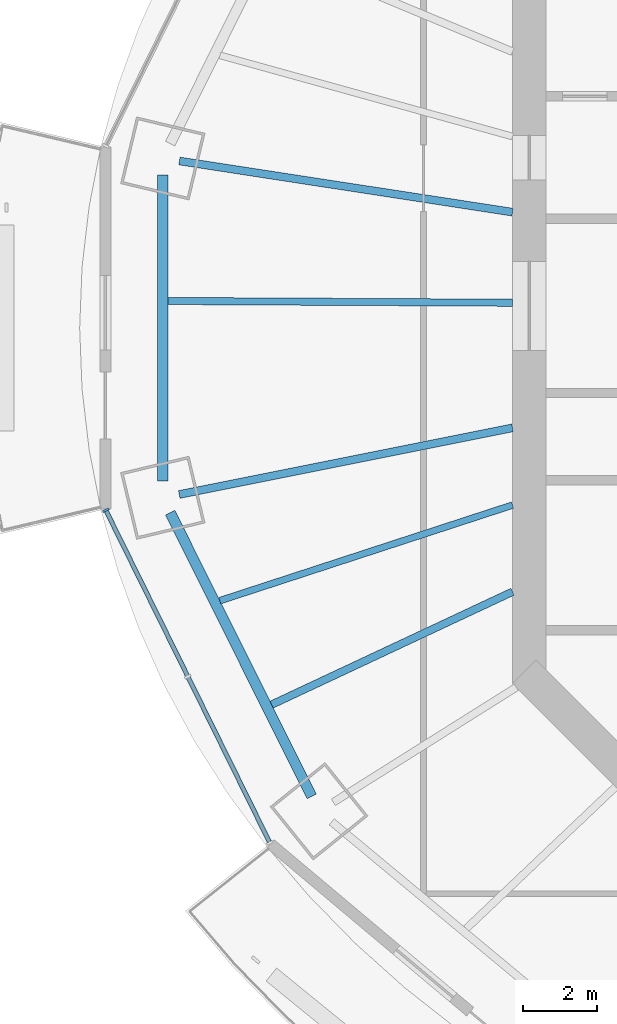
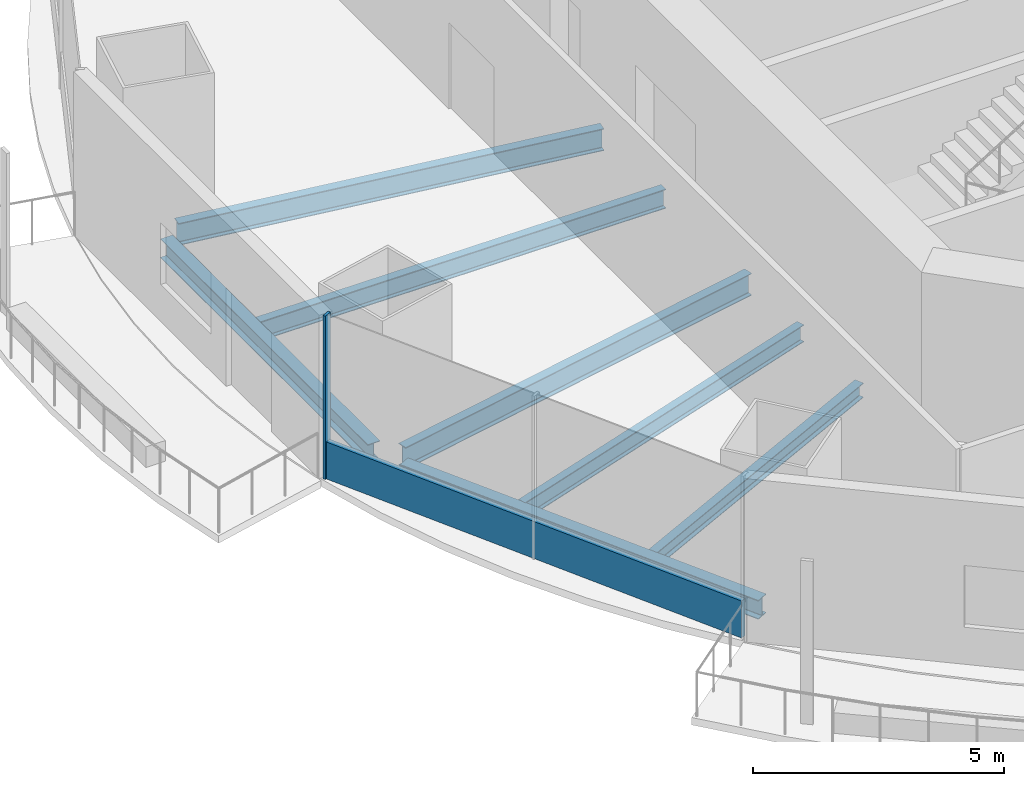
# One storey, part 3 of 19: 7 beams, 2 members, 1 element without a shape of its own.
"""IFC4 building model written with IfcOpenShell, lengths in metres."""

import ifcopenshell
import ifcopenshell.guid

model = None  # the IFC model being written
_history = None  # IfcOwnerHistory: only IFC2X3 demands one
_inside = {}  # id of a spatial element -> (the spatial element, [elements in it])
_under = {}  # id of a project, library or spatial element -> (it, [spatial elements below it])
_declared = {}  # id of a project -> (the project, [libraries it declares])
_typed = {}  # id of a type object -> (the type object, [elements of that type])
_made_of = {}  # id of a material, layer set ... -> (it, [elements and type objects made of it])


def new_model(schema):
    """Start an empty IFC model of exactly this schema.

    Asked for "IFC4X3", IfcOpenShell would pick the latest addendum, in which some entities
    have other attributes; the version numbers below select the first issue.
    IFC2X3 requires an IfcOwnerHistory on every rooted entity: one is made here for all.
    """
    global model, _history
    if schema == "IFC4X3":
        model = ifcopenshell.file(schema_version=(4, 3, 0, 0))
    else:
        model = ifcopenshell.file(schema=schema)
    _inside.clear()
    _under.clear()
    _declared.clear()
    _typed.clear()
    _made_of.clear()
    _history = None
    if model.schema == "IFC2X3":
        org = make("IfcOrganization", Name="unknown")
        user = make(
            "IfcPersonAndOrganization",
            ThePerson=make("IfcPerson", FamilyName="unknown"),
            TheOrganization=org,
        )
        app = make(
            "IfcApplication",
            ApplicationDeveloper=org,
            Version="unknown",
            ApplicationFullName="unknown",
            ApplicationIdentifier="unknown",
        )
        _history = make(
            "IfcOwnerHistory",
            OwningUser=user,
            OwningApplication=app,
            ChangeAction="ADDED",
            CreationDate=0,
        )
    return model


def make(cls, **values):
    """One entity of the class cls with the attributes given. An attribute that is None is left unset."""
    return model.create_entity(
        cls, **{name: value for name, value in values.items() if value is not None}
    )


def rooted(cls, **values):
    """An entity with a GlobalId (a new one), such as an element, a storey or a relation."""
    return make(cls, GlobalId=ifcopenshell.guid.new(), OwnerHistory=_history, **values)


def si_unit(unit_type, name, prefix=None):
    """IfcSIUnit, for example si_unit("LENGTHUNIT", "METRE", prefix="MILLI")."""
    return make("IfcSIUnit", UnitType=unit_type, Prefix=prefix, Name=name)


def assignment(units):
    """IfcUnitAssignment: the units of a project."""
    return None if units is None else make("IfcUnitAssignment", Units=units)


def point(xyz):
    """IfcCartesianPoint."""
    return None if xyz is None else make("IfcCartesianPoint", Coordinates=xyz)


def direction(xyz):
    """IfcDirection."""
    return None if xyz is None else make("IfcDirection", DirectionRatios=xyz)


def frame(location, z_axis=None, x_axis=None):
    """IfcAxis2Placement3D, a coordinate frame: its origin and axes. An axis left out is left unset."""
    return make(
        "IfcAxis2Placement3D",
        Location=point(location),
        Axis=direction(z_axis),
        RefDirection=direction(x_axis),
    )


def frame_2d(location, x_axis=None):
    """IfcAxis2Placement2D, a coordinate frame in the plane: its origin and x axis."""
    return make(
        "IfcAxis2Placement2D", Location=point(location), RefDirection=direction(x_axis)
    )


def origin():
    """The frame at (0, 0, 0) with its axes left unset."""
    return frame((0.0, 0.0, 0.0))


def origin_2d():
    """The frame at (0, 0) in the plane with its x axis left unset."""
    return frame_2d((0.0, 0.0))


def place(relative_to, where):
    """IfcLocalPlacement: puts the frame where relative to a parent placement (None: the world)."""
    return make(
        "IfcLocalPlacement", PlacementRelTo=relative_to, RelativePlacement=where
    )


def context(
    kind, dimensions, precision=None, world=None, true_north=None, identifier=None
):
    """IfcGeometricRepresentationContext, for example the 3D "Model" context."""
    return make(
        "IfcGeometricRepresentationContext",
        ContextIdentifier=identifier,
        ContextType=kind,
        CoordinateSpaceDimension=dimensions,
        Precision=precision,
        WorldCoordinateSystem=world,
        TrueNorth=true_north,
    )


def subcontext(parent, identifier, kind, view, scale=None):
    """IfcGeometricRepresentationSubContext, for example "Body" below "Model"."""
    return make(
        "IfcGeometricRepresentationSubContext",
        ContextIdentifier=identifier,
        ContextType=kind,
        ParentContext=parent,
        TargetScale=scale,
        TargetView=view,
    )


def project(units=None, contexts=None):
    """IfcProject with its units and contexts."""
    return rooted(
        "IfcProject",
        Name="project",
        RepresentationContexts=contexts,
        UnitsInContext=assignment(units),
    )


def spatial(cls, under=None, at=None, **own):
    """A site, building, storey or space (cls), placed at a placement, below another one or the project."""
    s = rooted(cls, ObjectPlacement=at, **own)
    if under is not None:
        _under.setdefault(under.id(), (under, []))[1].append(s)
    return s


def profile(cls, at=None, kind="AREA", **sizes):
    """A parametric profile (cls). Its sizes go by their IFC names, for example OverallWidth=200.0."""
    return make(cls, ProfileType=kind, Position=at, **sizes)


def rectangle(**sizes):
    """IfcRectangleProfileDef."""
    return profile("IfcRectangleProfileDef", **sizes)


def i_section(**sizes):
    """IfcIShapeProfileDef."""
    return profile("IfcIShapeProfileDef", **sizes)


def extrude(swept, where, along, depth):
    """IfcExtrudedAreaSolid: the profile swept, set in the frame where, extruded along a direction by depth."""
    return make(
        "IfcExtrudedAreaSolid",
        SweptArea=swept,
        Position=where,
        ExtrudedDirection=direction(along),
        Depth=depth,
    )


def shape(context_of_items, identifier, shape_type, items):
    """IfcShapeRepresentation: the items that make up one representation, for example the "Body"."""
    return make(
        "IfcShapeRepresentation",
        ContextOfItems=context_of_items,
        RepresentationIdentifier=identifier,
        RepresentationType=shape_type,
        Items=items,
    )


def material(Name=None, Category=None):
    """IfcMaterial."""
    return make("IfcMaterial", Name=Name, Category=Category)


def material_profile(
    of_material, cross_section, Name=None, Category=None, Priority=None
):
    """IfcMaterialProfile: a cross section and its material."""
    return make(
        "IfcMaterialProfile",
        Name=Name,
        Material=of_material,
        Profile=cross_section,
        Priority=Priority,
        Category=Category,
    )


def profile_set(profiles, Name=None, composite=None):
    """IfcMaterialProfileSet."""
    return make(
        "IfcMaterialProfileSet",
        Name=Name,
        MaterialProfiles=profiles,
        CompositeProfile=composite,
    )


def made_of(thing, what):
    """Note that an element or type object is made of a material, layer set ...; save() writes the relation."""
    if what is not None:
        _made_of.setdefault(what.id(), (what, []))[1].append(thing)
    return thing


def type_object(cls, material=None, **own):
    """A type object (cls), such as IfcWallType, which elements share."""
    return made_of(rooted(cls, **own), material)


def element(
    cls,
    number,
    at=None,
    inside=None,
    cuts=None,
    type_object=None,
    material=None,
    context=None,
    identifier="Body",
    shape_type=None,
    held_by="IfcProductDefinitionShape",
    body=None,
    shapes=None,
    **own,
):
    """One element of the class cls, such as IfcWall. Its Tag is "e" and its number.

    at: its placement. inside: the storey or other place that contains it. cuts: it is an
    opening in that element (IfcRelVoidsElement). A single representation is given by context,
    identifier, shape_type and body (its items); several are given by shapes. held_by: the class
    of the entity that holds the representations. save() writes the other relations.
    """
    e = rooted(cls, Tag="e%d" % number, ObjectPlacement=at, **own)
    if body is not None:
        shapes = [shape(context, identifier, shape_type, body)]
    if shapes is not None:
        e.Representation = make(held_by, Representations=shapes)
    if inside is not None:
        _inside.setdefault(inside.id(), (inside, []))[1].append(e)
    if cuts is not None:
        rooted(
            "IfcRelVoidsElement", RelatingBuildingElement=cuts, RelatedOpeningElement=e
        )
    if type_object is not None:
        _typed.setdefault(type_object.id(), (type_object, []))[1].append(e)
    return made_of(e, material)


def aggregate(whole, parts):
    """IfcRelAggregates: a whole, such as a stair, and the parts it consists of."""
    return rooted("IfcRelAggregates", RelatingObject=whole, RelatedObjects=parts)


def save(model, path):
    """Write the relations noted so far, then the file.

    IfcRelAggregates (storeys below a building ...), IfcRelContainedInSpatialStructure (elements
    in a storey), IfcRelDefinesByType, IfcRelAssociatesMaterial and IfcRelDeclares: one each for
    every whole, place, type object, material and project.
    """
    for whole, parts in _under.values():
        aggregate(whole, parts)
    for where, things in _inside.values():
        rooted(
            "IfcRelContainedInSpatialStructure",
            RelatedElements=things,
            RelatingStructure=where,
        )
    for kind, things in _typed.values():
        rooted("IfcRelDefinesByType", RelatedObjects=things, RelatingType=kind)
    for what, things in _made_of.values():
        rooted("IfcRelAssociatesMaterial", RelatedObjects=things, RelatingMaterial=what)
    for by, libraries in _declared.values():
        rooted("IfcRelDeclares", RelatingContext=by, RelatedDefinitions=libraries)
    model.write(path)


model = new_model("IFC4")

# Units and contexts
model_context = context("Model", 3, precision=1e-05, world=origin(), true_north=direction((0.0, 1.0)))
body_context = subcontext(model_context, "Body", "Model", "MODEL_VIEW")
ifc_project = project(units=[si_unit("LENGTHUNIT", "METRE"), si_unit("AREAUNIT", "SQUARE_METRE"), si_unit("VOLUMEUNIT", "CUBIC_METRE"), si_unit("PLANEANGLEUNIT", "RADIAN"), si_unit("MASSUNIT", "GRAM", prefix="KILO")], contexts=[model_context])

# Site, building, storey
site_placement = place(None, origin())
site = spatial("IfcSite", under=ifc_project, at=site_placement, CompositionType="ELEMENT")
building_placement = place(site_placement, origin())
building = spatial("IfcBuilding", under=site, at=building_placement, Name="Marenthal Gate Tower", CompositionType="ELEMENT")
storey_placement = place(building_placement, frame((0.0, 0.0, 252.35009765625)))
storey = spatial("IfcBuildingStorey", under=building, at=storey_placement, Name="L56", CompositionType="ELEMENT", Elevation=252.35009765625)

# Curtain wall, members
ifc_material_1 = material(Name="Aluminium and glass", Category="aluminium")
curtain_wall_type = type_object("IfcCurtainWallType", Name="Curtain wall typical mid", PredefinedType="NOTDEFINED", material=ifc_material_1)
curtain_wall_placement = place(storey_placement, origin())
curtain_wall = element("IfcCurtainWall", 1, at=curtain_wall_placement, inside=storey, type_object=curtain_wall_type, Name="Curtain wall L56 bay 9", PredefinedType="NOTDEFINED")
ifc_material_2 = material(Name="Aluminium", Category="aluminium")
ifc_material_profile_1 = material_profile(ifc_material_2, rectangle(XDim=0.179931640625, YDim=0.06005859375, at=origin_2d()), Name="60x180 aluminium mullion")
ifc_profile_set_1 = profile_set([ifc_material_profile_1], Name="Aluminium")
member_type_1 = type_object("IfcMemberType", Name="Mullion 60x180 typical mid", PredefinedType="MULLION", material=ifc_profile_set_1)
member_1_placement = place(storey_placement, frame((-27.4169921875, -5.5107421875, 0.0), z_axis=(0.0, 0.0, 1.0), x_axis=(0.896882319585, 0.44226926732, 0.0)))
member_1 = element("IfcMember", 2, at=member_1_placement, type_object=member_type_1, Name="Mullion L56 bay 9.1", PredefinedType="MULLION", context=body_context, shape_type="SweptSolid", body=[
    extrude(rectangle(XDim=0.179931640625, YDim=0.06005859375, at=origin_2d()), origin(), (0.0, 0.0, 1.0), 3.969970703125),
])
ifc_material_3 = material(Name="Aluminium", Category="aluminium")
ifc_material_profile_2 = material_profile(ifc_material_3, rectangle(XDim=0.1201171875, YDim=0.89990234375, at=origin_2d()), Name="120x900 aluminium transom")
ifc_profile_set_2 = profile_set([ifc_material_profile_2], Name="Aluminium")
member_type_2 = type_object("IfcMemberType", Name="Transom 120x900 typical mid", PredefinedType="USERDEFINED", material=ifc_profile_set_2)
member_2_placement = place(storey_placement, frame((-27.40380859375, -5.53759765625, 0.449951171875), z_axis=(0.44226596641, -0.896883947317, 0.0), x_axis=(0.896883947317, 0.44226596641, 0.0)))
member_2 = element("IfcMember", 3, at=member_2_placement, type_object=member_type_2, Name="Transom L56 bay 9", ObjectType="TRANSOM", PredefinedType="USERDEFINED", context=body_context, shape_type="SweptSolid", body=[
    extrude(rectangle(XDim=0.1201171875, YDim=0.89990234375, at=origin_2d()), origin(), (0.0, 0.0, 1.0), 9.94189453125),
])
aggregate(curtain_wall, [member_1, member_2])

# Beams
ifc_material_4 = material(Name="Steel S355", Category="steel")
ifc_material_profile_3 = material_profile(ifc_material_4, i_section(OverallWidth=0.205078125, OverallDepth=0.35302734375, WebThickness=0.009521484375, FlangeThickness=0.016845703125, FilletRadius=0.014892578125, at=origin_2d()), Name="W360X79")
ifc_profile_set_3 = profile_set([ifc_material_profile_3], Name="Steel S355")
beam_type_1 = type_object("IfcBeamType", Name="W360X79 beam", PredefinedType="BEAM", material=ifc_profile_set_3)
beam_1_placement = place(storey_placement, frame((-22.945068359375, -10.7529296875, -0.356689453125), z_axis=(0.905493268735, 0.424360625266, 0.0), x_axis=(-0.424360625266, 0.905493268735, 0.0)))
element("IfcBeam", 4, at=beam_1_placement, inside=storey, type_object=beam_type_1, Name="BM-L56-30", PredefinedType="BEAM", context=body_context, shape_type="SweptSolid", body=[
    extrude(i_section(OverallWidth=0.205078125, OverallDepth=0.35302734375, WebThickness=0.009521484375, FlangeThickness=0.016845703125, FilletRadius=0.014892578125, at=origin_2d()), origin(), (0.0, 0.0, 1.0), 7.173095703125),
])
ifc_material_5 = material(Name="Steel S355", Category="steel")
ifc_material_profile_4 = material_profile(ifc_material_5, i_section(OverallWidth=0.180908203125, OverallDepth=0.4169921875, WebThickness=0.010986328125, FlangeThickness=0.018310546875, FilletRadius=0.01025390625, at=origin_2d()), Name="W410X85")
ifc_profile_set_4 = profile_set([ifc_material_profile_4], Name="Steel S355")
beam_type_2 = type_object("IfcBeamType", Name="W410X85 beam", PredefinedType="BEAM", material=ifc_profile_set_4)
beam_2_placement = place(storey_placement, frame((-24.342041015625, -7.9501953125, -0.388671875), z_axis=(0.950583142106, 0.310470111191, 0.0), x_axis=(-0.310470111191, 0.950583142106, 0.0)))
element("IfcBeam", 5, at=beam_2_placement, inside=storey, type_object=beam_type_2, Name="BM-L56-29", PredefinedType="BEAM", context=body_context, shape_type="SweptSolid", body=[
    extrude(i_section(OverallWidth=0.180908203125, OverallDepth=0.4169921875, WebThickness=0.010986328125, FlangeThickness=0.018310546875, FilletRadius=0.01025390625, at=origin_2d()), origin(), (0.0, 0.0, 1.0), 8.30224609375),
])
ifc_material_6 = material(Name="Steel S355", Category="steel")
ifc_material_profile_5 = material_profile(ifc_material_6, i_section(OverallWidth=0.279052734375, OverallDepth=0.4619140625, WebThickness=0.0107421875, FlangeThickness=0.017333984375, FilletRadius=0.010009765625, at=origin_2d()), Name="W460X113")
ifc_profile_set_5 = profile_set([ifc_material_profile_5], Name="Steel S355")
beam_type_3 = type_object("IfcBeamType", Name="W460X113 beam", PredefinedType="BEAM", material=ifc_profile_set_5)
beam_3_placement = place(storey_placement, frame((-25.880615234375, 3.5244140625, -0.4111328125), z_axis=(0.0, -1.0, 0.0), x_axis=(1.0, 0.0, 0.0)))
element("IfcBeam", 6, at=beam_3_placement, inside=storey, type_object=beam_type_3, Name="BM-L56-48", PredefinedType="BEAM", context=body_context, shape_type="SweptSolid", body=[
    extrude(i_section(OverallWidth=0.279052734375, OverallDepth=0.4619140625, WebThickness=0.0107421875, FlangeThickness=0.017333984375, FilletRadius=0.010009765625, at=origin_2d()), origin(), (0.0, 0.0, 1.0), 8.2490234375),
])
beam_4_placement = place(storey_placement, frame((-25.68017578125, -5.577880859375, -0.4111328125), z_axis=(0.446082541832, -0.894991824472, 0.0), x_axis=(0.894991824472, 0.446082541832, 0.0)))
element("IfcBeam", 7, at=beam_4_placement, inside=storey, type_object=beam_type_3, Name="BM-L56-49", PredefinedType="BEAM", context=body_context, shape_type="SweptSolid", body=[
    extrude(i_section(OverallWidth=0.279052734375, OverallDepth=0.4619140625, WebThickness=0.0107421875, FlangeThickness=0.017333984375, FilletRadius=0.010009765625, at=origin_2d()), origin(), (0.0, 0.0, 1.0), 8.550537109375),
])
ifc_material_7 = material(Name="Steel S355", Category="steel")
ifc_material_profile_6 = material_profile(ifc_material_7, i_section(OverallWidth=0.193115234375, OverallDepth=0.467041015625, WebThickness=0.011474609375, FlangeThickness=0.01904296875, FilletRadius=0.010009765625, at=origin_2d()), Name="W460X97")
ifc_profile_set_6 = profile_set([ifc_material_profile_6], Name="Steel S355")
beam_type_4 = type_object("IfcBeamType", Name="W460X97 beam", PredefinedType="BEAM", material=ifc_profile_set_6)
beam_5_placement = place(storey_placement, frame((-25.7412109375, 0.13134765625, -0.41357421875), z_axis=(0.999987007405, -0.005097550502, 0.0), x_axis=(0.005097550502, 0.999987007405, 0.0)))
element("IfcBeam", 8, at=beam_5_placement, inside=storey, type_object=beam_type_4, Name="BM-L56-28", PredefinedType="BEAM", context=body_context, shape_type="SweptSolid", body=[
    extrude(i_section(OverallWidth=0.193115234375, OverallDepth=0.467041015625, WebThickness=0.011474609375, FlangeThickness=0.01904296875, FilletRadius=0.010009765625, at=origin_2d()), origin(), (0.0, 0.0, 1.0), 9.291259765625),
])
ifc_material_8 = material(Name="Steel S355", Category="steel")
ifc_material_profile_7 = material_profile(ifc_material_8, i_section(OverallWidth=0.2099609375, OverallDepth=0.535888671875, WebThickness=0.010986328125, FlangeThickness=0.017333984375, FilletRadius=0.0126953125, at=origin_2d()), Name="W530X101")
ifc_profile_set_7 = profile_set([ifc_material_profile_7], Name="Steel S355")
beam_type_5 = type_object("IfcBeamType", Name="W530X101 beam", PredefinedType="BEAM", material=ifc_profile_set_7)
beam_6_placement = place(storey_placement, frame((-25.4326171875, 3.90673828125, -0.447998046875), z_axis=(0.988405834973, -0.151835125683, 0.0), x_axis=(0.151835125683, 0.988405834973, 0.0)))
element("IfcBeam", 9, at=beam_6_placement, inside=storey, type_object=beam_type_5, Name="BM-L56-08", PredefinedType="BEAM", context=body_context, shape_type="SweptSolid", body=[
    extrude(i_section(OverallWidth=0.2099609375, OverallDepth=0.535888671875, WebThickness=0.010986328125, FlangeThickness=0.017333984375, FilletRadius=0.0126953125, at=origin_2d()), origin(), (0.0, 0.0, 1.0), 9.088134765625),
])
beam_7_placement = place(storey_placement, frame((-25.438720703125, -5.087158203125, -0.447998046875), z_axis=(0.98058886973, 0.196075160491, 0.0), x_axis=(-0.196075160491, 0.98058886973, 0.0)))
element("IfcBeam", 10, at=beam_7_placement, inside=storey, type_object=beam_type_5, Name="BM-L56-09", PredefinedType="BEAM", context=body_context, shape_type="SweptSolid", body=[
    extrude(i_section(OverallWidth=0.2099609375, OverallDepth=0.535888671875, WebThickness=0.010986328125, FlangeThickness=0.017333984375, FilletRadius=0.0126953125, at=origin_2d()), origin(), (0.0, 0.0, 1.0), 9.166748046875),
])

save(model, "model.ifc")
